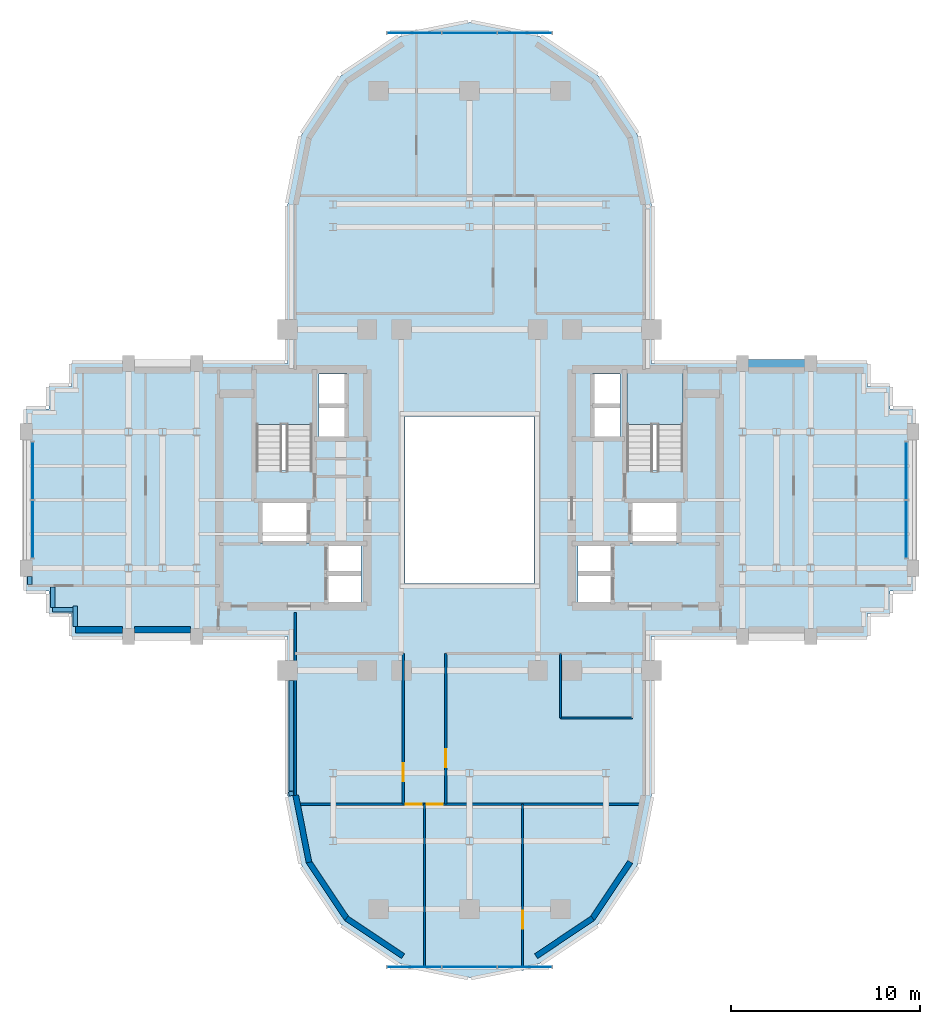
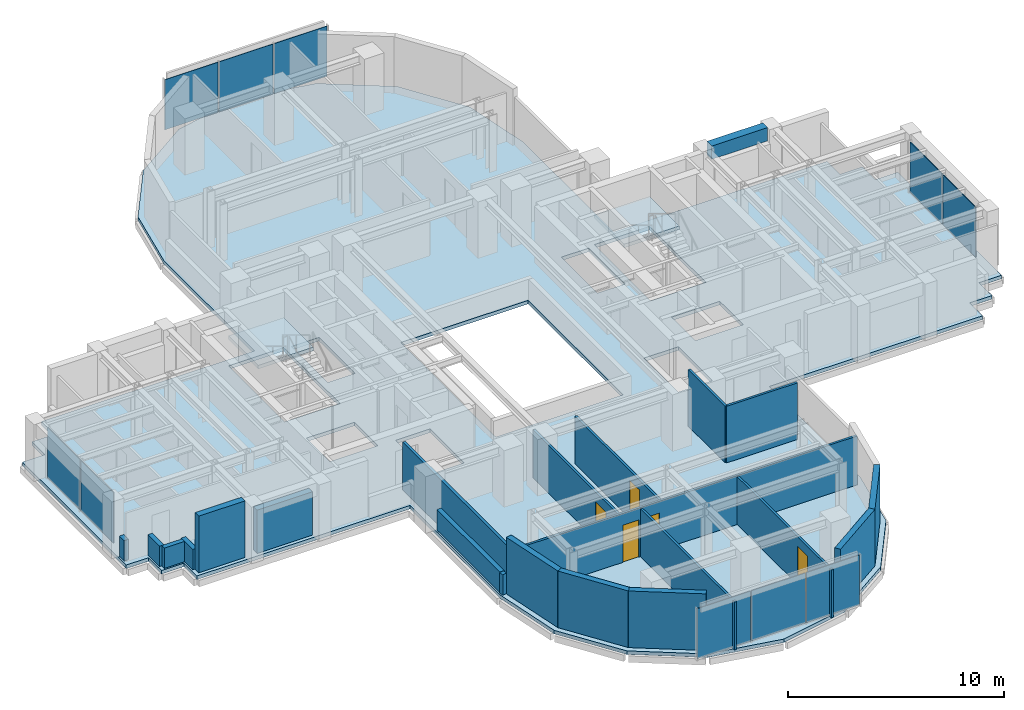
# One storey, part 7 of 14: 21 walls, 10 plates, 5 doors, 3 slabs, 1 beam, 5 openings, 6 elements without a shape of their own.
"""IFC4 building model written with IfcOpenShell, lengths in metres."""

from ifc_helpers import new_model, si_unit, direction, frame, frame_2d, origin, origin_2d, place, context, subcontext, project, spatial, polyline, rectangle, outline, extrude, source, transform, mapped, material, layer, layer_set, material_profile, profile_set, type_object, element, fill, aggregate, save


model = new_model("IFC4")

# Units and contexts
model_context = context("Model", 3, precision=1e-05, world=origin(), true_north=direction((0.0, 1.0)))
body_context = subcontext(model_context, "Body", "Model", "MODEL_VIEW")
ifc_project = project(units=[si_unit("LENGTHUNIT", "METRE"), si_unit("AREAUNIT", "SQUARE_METRE"), si_unit("VOLUMEUNIT", "CUBIC_METRE"), si_unit("PLANEANGLEUNIT", "RADIAN"), si_unit("MASSUNIT", "GRAM", prefix="KILO")], contexts=[model_context])

# Site, building, storey
site_placement = place(None, origin())
site = spatial("IfcSite", under=ifc_project, at=site_placement, CompositionType="ELEMENT")
building_placement = place(site_placement, origin())
building = spatial("IfcBuilding", under=site, at=building_placement, Name="Keilestroom Media Tower", CompositionType="ELEMENT")
storey_placement = place(building_placement, frame((0.0, 0.0, 117.60009765625)))
storey = spatial("IfcBuildingStorey", under=building, at=storey_placement, Name="L31", CompositionType="ELEMENT", Elevation=117.60009765625)

# Beam
ifc_material_1 = material(Name="Precast concrete C40/50", Category="concrete")
ifc_material_profile = material_profile(ifc_material_1, rectangle(XDim=0.449951171875, YDim=0.75, at=origin_2d()), Name="PC 450x750")
ifc_profile_set = profile_set([ifc_material_profile], Name="Precast concrete C40/50")
beam_type = type_object("IfcBeamType", Name="Perimeter-Spandrel-Beam-PC-450x750", PredefinedType="SPANDREL", material=ifc_profile_set)
shared_shape_1 = source(origin(), body_context, "Body", "SweptSolid", [
    extrude(rectangle(XDim=0.449951171875, YDim=0.75, at=origin_2d()), origin(), (0.0, 0.0, 1.0), 2.989990234375),
])
beam_placement = place(storey_placement, frame((14.705078125, 7.199951171875, 2.824951171875), z_axis=(1.0, 0.0, 0.0), x_axis=(0.0, 1.0, 0.0)))
element("IfcBeam", 1, at=beam_placement, inside=storey, type_object=beam_type, Name="L31 Beam SPB-1 BM-L31-EW-027", PredefinedType="SPANDREL", context=body_context, shape_type="MappedRepresentation", body=[
    mapped(shared_shape_1, transform((0.0, 0.0, 0.0), x_axis=(1.0, 0.0, 0.0), y_axis=(0.0, 1.0, 0.0), z_axis=(0.0, 0.0, 1.0), scale=1.0)),
])

# Slab
ifc_material_2 = material(Name="Concrete C50/60", Category="concrete")
ifc_layer_1 = layer(ifc_material_2, 0.199951171875)
ifc_layer_set_1 = layer_set([ifc_layer_1], Name="Concrete C50/60")
slab_type_1 = type_object("IfcSlabType", Name="Composite-Floor-Slab-200", PredefinedType="FLOOR", material=ifc_layer_set_1)
slab_1_placement = place(storey_placement, frame((0.0, 0.0, -0.2001953125)))
element("IfcSlab", 2, at=slab_1_placement, inside=storey, type_object=slab_type_1, Name="L31 Structural Composite Floor Slab", PredefinedType="FLOOR", context=body_context, shape_type="SweptSolid", body=[
    extrude(outline(polyline([(23.39990234375, -4.800048828125), (23.39990234375, 4.800048828125), (22.199951171875, 4.800048828125), (22.199951171875, 6.0), (21.0, 6.0), (21.0, 7.199951171875), (9.60009765625, 7.199951171875), (9.60009765625, 9.60009765625), (9.60009765625, 15.60009765625), (8.869140625, 19.273681640625), (6.7880859375, 22.38818359375), (3.673828125, 24.46923828125), (0.0, 25.199951171875), (-3.673828125, 24.46923828125), (-6.7880859375, 22.38818359375), (-8.869140625, 19.273681640625), (-9.60009765625, 15.60009765625), (-9.60009765625, 9.60009765625), (-9.60009765625, 7.199951171875), (-21.0, 7.199951171875), (-21.0, 6.0), (-22.199951171875, 6.0), (-22.199951171875, 4.800048828125), (-23.39990234375, 4.800048828125), (-23.39990234375, -4.800048828125), (-22.199951171875, -4.800048828125), (-22.199951171875, -6.0), (-21.0, -6.0), (-21.0, -7.199951171875), (-9.60009765625, -7.199951171875), (-9.60009765625, -9.60009765625), (-9.60009765625, -15.60009765625), (-8.869140625, -19.273681640625), (-6.7880859375, -22.38818359375), (-3.673828125, -24.46923828125), (0.0, -25.199951171875), (3.673828125, -24.46923828125), (6.7880859375, -22.38818359375), (8.869140625, -19.273681640625), (9.60009765625, -15.60009765625), (9.60009765625, -9.60009765625), (9.60009765625, -7.199951171875), (21.0, -7.199951171875), (21.0, -6.0), (22.199951171875, -6.0), (22.199951171875, -4.800048828125), (23.39990234375, -4.800048828125)]), holes=[polyline([(-11.260009765625, 1.544921875), (-11.260009765625, 6.760009765625), (-8.300048828125, 6.760009765625), (-8.300048828125, 1.544921875), (-11.260009765625, 1.544921875)]), polyline([(-11.050048828125, -2.280029296875), (-11.050048828125, -0.10009765625), (-8.47998046875, -0.10009765625), (-8.47998046875, -2.280029296875), (-11.050048828125, -2.280029296875)]), polyline([(-7.949951171875, 3.300048828125), (-7.949951171875, 6.64990234375), (-6.47998046875, 6.64990234375), (-6.47998046875, 3.300048828125), (-7.949951171875, 3.300048828125)]), polyline([(-7.56005859375, -2.320068359375), (-5.719970703125, -2.320068359375), (-5.719970703125, -5.47998046875), (-7.56005859375, -5.47998046875), (-7.56005859375, -2.320068359375)]), polyline([(3.39990234375, -4.39990234375), (-3.39990234375, -4.39990234375), (-3.39990234375, 4.39990234375), (3.39990234375, 4.39990234375), (3.39990234375, -4.39990234375)]), polyline([(7.56005859375, -2.320068359375), (7.56005859375, -5.47998046875), (5.719970703125, -5.47998046875), (5.719970703125, -2.320068359375), (7.56005859375, -2.320068359375)]), polyline([(6.47998046875, 3.300048828125), (6.47998046875, 6.64990234375), (7.949951171875, 6.64990234375), (7.949951171875, 3.300048828125), (6.47998046875, 3.300048828125)]), polyline([(8.300048828125, 1.544921875), (8.300048828125, 6.760009765625), (11.260009765625, 6.760009765625), (11.260009765625, 1.544921875), (8.300048828125, 1.544921875)]), polyline([(8.47998046875, -2.280029296875), (8.47998046875, -0.10009765625), (11.050048828125, -0.10009765625), (11.050048828125, -2.280029296875), (8.47998046875, -2.280029296875)])]), origin(), (0.0, 0.0, 1.0), 0.2001953125),
])

# Stair, slab
ifc_material_3 = material(Name="Concrete C45/55", Category="concrete")
stair_type = type_object("IfcStairType", Name="Enclosed-Dog-Leg-Stair-ST-CORE", PredefinedType="HALF_TURN_STAIR", material=ifc_material_3)
stair_1_placement = place(storey_placement, origin())
stair_1 = element("IfcStair", 3, at=stair_1_placement, inside=storey, type_object=stair_type, Name="L31 West Core Escape Stair ST-1", PredefinedType="HALF_TURN_STAIR")
ifc_layer_2 = layer(ifc_material_3, 0.199951171875)
ifc_layer_set_2 = layer_set([ifc_layer_2], Name="Concrete C45/55")
slab_type_2 = type_object("IfcSlabType", Name="Stair-Intermediate-And-Top-Landing-Slab-200", PredefinedType="LANDING", material=ifc_layer_set_2)
slab_2_placement = place(storey_placement, frame((0.0, 0.0, 1.5)))
slab_2 = element("IfcSlab", 4, at=slab_2_placement, type_object=slab_type_2, Name="ST-1 landing 1", PredefinedType="LANDING", context=body_context, shape_type="SweptSolid", body=[
    extrude(outline(polyline([(-8.300048828125, 3.99609375), (-8.300048828125, 6.760009765625), (-11.260009765625, 6.760009765625), (-11.260009765625, 3.99609375), (-8.300048828125, 3.99609375)])), origin(), (0.0, 0.0, 1.0), 0.199951171875),
])
aggregate(stair_1, [slab_2])

stair_2_placement = place(storey_placement, origin())
stair_2 = element("IfcStair", 5, at=stair_2_placement, inside=storey, type_object=stair_type, Name="L31 East Core Escape Stair ST-2", PredefinedType="HALF_TURN_STAIR")
slab_3_placement = place(storey_placement, frame((0.0, 0.0, 1.5)))
slab_3 = element("IfcSlab", 6, at=slab_3_placement, type_object=slab_type_2, Name="ST-2 landing 1", PredefinedType="LANDING", context=body_context, shape_type="SweptSolid", body=[
    extrude(outline(polyline([(11.260009765625, 3.99609375), (11.260009765625, 6.760009765625), (8.300048828125, 6.760009765625), (8.300048828125, 3.99609375), (11.260009765625, 3.99609375)])), origin(), (0.0, 0.0, 1.0), 0.199951171875),
])
aggregate(stair_2, [slab_3])

# Curtain wall, plates
ifc_material_4 = material(Name="Anodised Aluminium Alloy", Category="aluminium")
curtain_wall_type_1 = type_object("IfcCurtainWallType", Name="Unitised-Curtain-Wall-CW-6", PredefinedType="NOTDEFINED", material=ifc_material_4)
curtain_wall_1_placement = place(storey_placement, origin())
curtain_wall_1 = element("IfcCurtainWall", 7, at=curtain_wall_1_placement, inside=storey, type_object=curtain_wall_type_1, Name="L31 Curtain Wall CW-6 CW-L31-LN-1", PredefinedType="NOTDEFINED")
ifc_material_5 = material(Name="Curved-Facet Triple Glazed Unit", Category="glass")
ifc_layer_3 = layer(ifc_material_5, 0.033935546875)
ifc_layer_set_3 = layer_set([ifc_layer_3], Name="Curved-Facet Triple Glazed Unit")
plate_type_1 = type_object("IfcPlateType", Name="Insulated-Curtain-Wall-Glazing-Panel-CW-6", PredefinedType="CURTAIN_PANEL", material=ifc_layer_set_3)
shared_shape_2 = source(origin(), body_context, "Body", "SweptSolid", [
    extrude(rectangle(XDim=2.84375, YDim=0.033935546875, at=origin_2d()), origin(), (0.0, 0.0, 1.0), 2.833984375),
])
plate_1_placement = place(storey_placement, frame((-2.9169921875, 24.64990234375, 0.072998046875), z_axis=(0.0, 0.0, 1.0), x_axis=(1.0, 0.0, 0.0)))
plate_1 = element("IfcPlate", 8, at=plate_1_placement, type_object=plate_type_1, Name="CW-6 Unitised Glazing 00", PredefinedType="CURTAIN_PANEL", context=body_context, shape_type="MappedRepresentation", body=[
    mapped(shared_shape_2, transform((0.0, 0.0, 0.0), x_axis=(1.0, 0.0, 0.0), y_axis=(0.0, 1.0, 0.0), z_axis=(0.0, 0.0, 1.0), scale=1.0)),
])
plate_2_placement = place(storey_placement, frame((2.9169921875, 24.64990234375, 0.072998046875), z_axis=(0.0, 0.0, 1.0), x_axis=(1.0, 0.0, 0.0)))
plate_2 = element("IfcPlate", 9, at=plate_2_placement, type_object=plate_type_1, Name="CW-6 Unitised Glazing 02", PredefinedType="CURTAIN_PANEL", context=body_context, shape_type="MappedRepresentation", body=[
    mapped(shared_shape_2, transform((0.0, 0.0, 0.0), x_axis=(1.0, 0.0, 0.0), y_axis=(0.0, 1.0, 0.0), z_axis=(0.0, 0.0, 1.0), scale=1.0)),
])

curtain_wall_2_placement = place(storey_placement, origin())
curtain_wall_2 = element("IfcCurtainWall", 10, at=curtain_wall_2_placement, inside=storey, type_object=curtain_wall_type_1, Name="L31 Curtain Wall CW-6 CW-L31-LS-1", PredefinedType="NOTDEFINED")
plate_3_placement = place(storey_placement, frame((-2.9169921875, -24.64990234375, 0.072998046875), z_axis=(0.0, 0.0, 1.0), x_axis=(1.0, 0.0, 0.0)))
plate_3 = element("IfcPlate", 11, at=plate_3_placement, type_object=plate_type_1, Name="CW-6 Unitised Glazing 00", PredefinedType="CURTAIN_PANEL", context=body_context, shape_type="MappedRepresentation", body=[
    mapped(shared_shape_2, transform((0.0, 0.0, 0.0), x_axis=(1.0, 0.0, 0.0), y_axis=(0.0, 1.0, 0.0), z_axis=(0.0, 0.0, 1.0), scale=1.0)),
])
plate_4_placement = place(storey_placement, frame((2.9169921875, -24.64990234375, 0.072998046875), z_axis=(0.0, 0.0, 1.0), x_axis=(1.0, 0.0, 0.0)))
plate_4 = element("IfcPlate", 12, at=plate_4_placement, type_object=plate_type_1, Name="CW-6 Unitised Glazing 02", PredefinedType="CURTAIN_PANEL", context=body_context, shape_type="MappedRepresentation", body=[
    mapped(shared_shape_2, transform((0.0, 0.0, 0.0), x_axis=(1.0, 0.0, 0.0), y_axis=(0.0, 1.0, 0.0), z_axis=(0.0, 0.0, 1.0), scale=1.0)),
])

# Plate
shared_shape_3 = source(origin(), body_context, "Body", "SweptSolid", [
    extrude(rectangle(XDim=2.876220703125, YDim=0.033935546875, at=origin_2d()), origin(), (0.0, 0.0, 1.0), 2.833984375),
])
plate_5_placement = place(storey_placement, frame((0.0, 24.64990234375, 0.072998046875), z_axis=(0.0, 0.0, 1.0), x_axis=(1.0, 0.0, 0.0)))
plate_5 = element("IfcPlate", 13, at=plate_5_placement, type_object=plate_type_1, Name="CW-6 Unitised Glazing 01", PredefinedType="CURTAIN_PANEL", context=body_context, shape_type="MappedRepresentation", body=[
    mapped(shared_shape_3, transform((0.0, 0.0, 0.0), x_axis=(1.0, 0.0, 0.0), y_axis=(0.0, 1.0, 0.0), z_axis=(0.0, 0.0, 1.0), scale=1.0)),
])

aggregate(curtain_wall_1, [plate_1, plate_5, plate_2])

plate_6_placement = place(storey_placement, frame((0.0, -24.64990234375, 0.072998046875), z_axis=(0.0, 0.0, 1.0), x_axis=(1.0, 0.0, 0.0)))
plate_6 = element("IfcPlate", 14, at=plate_6_placement, type_object=plate_type_1, Name="CW-6 Unitised Glazing 01", PredefinedType="CURTAIN_PANEL", context=body_context, shape_type="MappedRepresentation", body=[
    mapped(shared_shape_3, transform((0.0, 0.0, 0.0), x_axis=(1.0, 0.0, 0.0), y_axis=(0.0, 1.0, 0.0), z_axis=(0.0, 0.0, 1.0), scale=1.0)),
])

aggregate(curtain_wall_2, [plate_3, plate_6, plate_4])

# Curtain wall, plates
curtain_wall_type_2 = type_object("IfcCurtainWallType", Name="Unitised-Curtain-Wall-CW-2", PredefinedType="NOTDEFINED", material=ifc_material_4)
curtain_wall_3_placement = place(storey_placement, origin())
curtain_wall_3 = element("IfcCurtainWall", 15, at=curtain_wall_3_placement, inside=storey, type_object=curtain_wall_type_2, Name="L31 Curtain Wall CW-2 CW-L31-W-1", PredefinedType="NOTDEFINED")
ifc_material_6 = material(Name="Double Glazed Low-E Unit", Category="glass")
ifc_layer_4 = layer(ifc_material_6, 0.0419921875)
ifc_layer_set_4 = layer_set([ifc_layer_4], Name="Double Glazed Low-E Unit")
plate_type_2 = type_object("IfcPlateType", Name="Insulated-Curtain-Wall-Glazing-Panel-CW-2", PredefinedType="CURTAIN_PANEL", material=ifc_layer_set_4)
shared_shape_4 = source(origin(), body_context, "Body", "SweptSolid", [
    extrude(rectangle(XDim=3.01806640625, YDim=0.0419921875, at=origin_2d()), origin(), (0.0, 0.0, 1.0), 2.833984375),
])
plate_7_placement = place(storey_placement, frame((-23.050048828125, -1.5400390625, 0.072998046875), z_axis=(0.0, 0.0, 1.0), x_axis=(0.0, 1.0, 0.0)))
plate_7 = element("IfcPlate", 16, at=plate_7_placement, type_object=plate_type_2, Name="CW-2 Unitised Glazing 00", PredefinedType="CURTAIN_PANEL", context=body_context, shape_type="MappedRepresentation", body=[
    mapped(shared_shape_4, transform((0.0, 0.0, 0.0), x_axis=(1.0, 0.0, 0.0), y_axis=(0.0, 1.0, 0.0), z_axis=(0.0, 0.0, 1.0), scale=1.0)),
])
plate_8_placement = place(storey_placement, frame((-23.050048828125, 1.5400390625, 0.072998046875), z_axis=(0.0, 0.0, 1.0), x_axis=(0.0, 1.0, 0.0)))
plate_8 = element("IfcPlate", 17, at=plate_8_placement, type_object=plate_type_2, Name="CW-2 Unitised Glazing 01", PredefinedType="CURTAIN_PANEL", context=body_context, shape_type="MappedRepresentation", body=[
    mapped(shared_shape_4, transform((0.0, 0.0, 0.0), x_axis=(1.0, 0.0, 0.0), y_axis=(0.0, 1.0, 0.0), z_axis=(0.0, 0.0, 1.0), scale=1.0)),
])
aggregate(curtain_wall_3, [plate_7, plate_8])

curtain_wall_4_placement = place(storey_placement, origin())
curtain_wall_4 = element("IfcCurtainWall", 18, at=curtain_wall_4_placement, inside=storey, type_object=curtain_wall_type_2, Name="L31 Curtain Wall CW-2 CW-L31-E-1", PredefinedType="NOTDEFINED")
plate_9_placement = place(storey_placement, frame((23.050048828125, -1.5400390625, 0.072998046875), z_axis=(0.0, 0.0, 1.0), x_axis=(0.0, 1.0, 0.0)))
plate_9 = element("IfcPlate", 19, at=plate_9_placement, type_object=plate_type_2, Name="CW-2 Unitised Glazing 00", PredefinedType="CURTAIN_PANEL", context=body_context, shape_type="MappedRepresentation", body=[
    mapped(shared_shape_4, transform((0.0, 0.0, 0.0), x_axis=(1.0, 0.0, 0.0), y_axis=(0.0, 1.0, 0.0), z_axis=(0.0, 0.0, 1.0), scale=1.0)),
])
plate_10_placement = place(storey_placement, frame((23.050048828125, 1.5400390625, 0.072998046875), z_axis=(0.0, 0.0, 1.0), x_axis=(0.0, 1.0, 0.0)))
plate_10 = element("IfcPlate", 20, at=plate_10_placement, type_object=plate_type_2, Name="CW-2 Unitised Glazing 01", PredefinedType="CURTAIN_PANEL", context=body_context, shape_type="MappedRepresentation", body=[
    mapped(shared_shape_4, transform((0.0, 0.0, 0.0), x_axis=(1.0, 0.0, 0.0), y_axis=(0.0, 1.0, 0.0), z_axis=(0.0, 0.0, 1.0), scale=1.0)),
])
aggregate(curtain_wall_4, [plate_9, plate_10])

# Walls
ifc_layer_5 = layer(ifc_material_1, 0.300048828125)
ifc_layer_set_5 = layer_set([ifc_layer_5], Name="Precast concrete C40/50")
wall_type_1 = type_object("IfcWallType", Name="Exterior-Masonry-Spandrel-Wall-300", PredefinedType="SOLIDWALL", material=ifc_layer_set_5)
for number, where, z_axis, x_axis, name in (
    (21, (-9.1748046875, -15.585205078125, 0.0), (0.0, 0.0, 1.0), (0.195114232679, -0.980780523974, 0.0), "L31 Lobe Facet Precast Frame Wall 07"),
    (22, (-8.48193359375, -19.097412109375, 0.0), (0.0, 0.0, 1.0), (0.555574187116, -0.831466970246, 0.0), "L31 Lobe Facet Precast Frame Wall 08"),
):
    element("IfcWall", number, at=place(storey_placement, frame(where, z_axis=z_axis, x_axis=x_axis)), inside=storey, type_object=wall_type_1, Name=name, PredefinedType="SOLIDWALL", context=body_context, shape_type="SweptSolid", body=[
        extrude(rectangle(XDim=3.608642578125, YDim=0.300048828125, at=frame_2d((1.80419921875, 0.0))), origin(), (0.0, 0.0, 1.0), 3.199951171875),
    ])
for number, where, z_axis, x_axis, name in (
    (23, (-6.497802734375, -22.0771484375, 0.0), (0.0, 0.0, 1.0), (0.8314749531, -0.555562239868, 0.0), "L31 Lobe Facet Precast Frame Wall 09"),
    (24, (3.510009765625, -24.073486328125, 0.0), (0.0, 0.0, 1.0), (0.8314749531, 0.555562239868, 0.0), "L31 Lobe Facet Precast Frame Wall 10"),
):
    element("IfcWall", number, at=place(storey_placement, frame(where, z_axis=z_axis, x_axis=x_axis)), inside=storey, type_object=wall_type_1, Name=name, PredefinedType="SOLIDWALL", context=body_context, shape_type="SweptSolid", body=[
        extrude(rectangle(XDim=3.59326171875, YDim=0.300048828125, at=frame_2d((1.796630859375, 0.0))), origin(), (0.0, 0.0, 1.0), 3.199951171875),
    ])
wall_1_placement = place(storey_placement, frame((6.47705078125, -22.097900390625, 0.0), z_axis=(0.0, 0.0, 1.0), x_axis=(0.555574187116, 0.831466970246, 0.0)))
element("IfcWall", 25, at=wall_1_placement, inside=storey, type_object=wall_type_1, Name="L31 Lobe Facet Precast Frame Wall 11", PredefinedType="SOLIDWALL", context=body_context, shape_type="SweptSolid", body=[
    extrude(rectangle(XDim=3.608642578125, YDim=0.300048828125, at=frame_2d((1.80419921875, 0.0))), origin(), (0.0, 0.0, 1.0), 3.199951171875),
])
ifc_layer_6 = layer(ifc_material_1, 0.340087890625)
ifc_layer_set_6 = layer_set([ifc_layer_6], Name="Precast concrete C40/50")
wall_type_2 = type_object("IfcWallType", Name="Exterior-Masonry-Spandrel-Wall-340", PredefinedType="SOLIDWALL", material=ifc_layer_set_6)
wall_2_placement = place(storey_placement, frame((-20.800048828125, -6.85009765625, 0.0), z_axis=(0.0, 0.0, 1.0), x_axis=(1.0, 0.0, 0.0)))
element("IfcWall", 26, at=wall_2_placement, inside=storey, type_object=wall_type_2, Name="L31 Flank Masonry Wall EWL-L31-SW-1", PredefinedType="SOLIDWALL", context=body_context, shape_type="SweptSolid", body=[
    extrude(rectangle(XDim=2.483154296875, YDim=0.340087890625, at=frame_2d((1.24169921875, 0.0))), origin(), (0.0, 0.0, 1.0), 3.199951171875),
])
wall_3_placement = place(storey_placement, frame((-17.68310546875, -6.85009765625, 0.0), z_axis=(0.0, 0.0, 1.0), x_axis=(1.0, 0.0, 0.0)))
element("IfcWall", 27, at=wall_3_placement, inside=storey, type_object=wall_type_2, Name="L31 Flank Masonry Wall EWL-L31-SW-2", PredefinedType="SOLIDWALL", context=body_context, shape_type="SweptSolid", body=[
    extrude(rectangle(XDim=2.966064453125, YDim=0.340087890625, at=frame_2d((1.48291015625, 0.0))), origin(), (0.0, 0.0, 1.0), 2.449951171875),
])

# Wall, opening, door
ifc_material_7 = material(Name="Gypsum Plasterboard & Steel Stud", Category="steel")
ifc_layer_7 = layer(ifc_material_7, 0.1201171875)
ifc_layer_set_7 = layer_set([ifc_layer_7], Name="Gypsum Plasterboard & Steel Stud")
wall_type_3 = type_object("IfcWallType", Name="Interior-Partition-Wall-120", PredefinedType="PARTITIONING", material=ifc_layer_set_7)
wall_4_placement = place(storey_placement, frame((-3.5, -16.050048828125, 0.0), z_axis=(0.0, 0.0, 1.0), x_axis=(0.0, 1.0, 0.0)))
wall_4 = element("IfcWall", 28, at=wall_4_placement, inside=storey, type_object=wall_type_3, Name="L31 Interior Wall WP-L31-SL-SPW", PredefinedType="PARTITIONING", context=body_context, shape_type="SweptSolid", body=[
    extrude(rectangle(XDim=7.949951171875, YDim=0.1201171875, at=frame_2d((3.97509765625, 0.0))), origin(), (0.0, 0.0, 1.0), 2.699951171875),
])
opening_1_placement = place(wall_4_placement, frame((1.199951171875, 0.0, 0.0)))
opening_1 = element("IfcOpeningElement", 29, at=opening_1_placement, cuts=wall_4, Name="Opening DI-03", PredefinedType="OPENING", context=body_context, shape_type="SweptSolid", body=[
    extrude(rectangle(XDim=0.949951171875, YDim=2.14990234375, at=frame_2d((0.47509765625, 1.074951171875))), frame((0.0, 0.070068359375, 0.0), z_axis=(0.0, -1.0, 0.0), x_axis=(1.0, 0.0, 0.0)), (0.0, 0.0, 1.0), 0.14013671875),
])
ifc_material_8 = material(Name="Lacquered European Oak Leaf", Category="wood")
door_type_1 = type_object("IfcDoorType", Name="Interior-Room-And-Suite-Door-DI-03", OperationType="NOTDEFINED", PredefinedType="DOOR", material=ifc_material_8)
shared_shape_5 = source(origin(), body_context, "Body", "SweptSolid", [
    extrude(rectangle(XDim=0.949951171875, YDim=2.14990234375, at=frame_2d((0.47509765625, 1.074951171875))), frame((0.0, 0.02490234375, 0.0), z_axis=(0.0, -1.0, 0.0), x_axis=(1.0, 0.0, 0.0)), (0.0, 0.0, 1.0), 0.050048828125),
])
door_1_placement = place(opening_1_placement, origin())
door_1 = element("IfcDoor", 30, at=door_1_placement, inside=storey, type_object=door_type_1, Name="L31 Interior Door DI-L31-DSL-W1", OperationType="SINGLE_SWING_LEFT", OverallHeight=2.14990234375, OverallWidth=0.949951171875, PredefinedType="DOOR", context=body_context, shape_type="MappedRepresentation", body=[
    mapped(shared_shape_5, transform((0.0, 0.0, 0.0), x_axis=(1.0, 0.0, 0.0), y_axis=(0.0, 1.0, 0.0), z_axis=(0.0, 0.0, 1.0), scale=1.0)),
])
fill(opening_1, door_1)

wall_5_placement = place(storey_placement, frame((-1.260009765625, -16.050048828125, 0.0), z_axis=(0.0, 0.0, 1.0), x_axis=(0.0, 1.0, 0.0)))
wall_5 = element("IfcWall", 31, at=wall_5_placement, inside=storey, type_object=wall_type_3, Name="L31 Interior Wall WP-L31-SL-SPE", PredefinedType="PARTITIONING", context=body_context, shape_type="SweptSolid", body=[
    extrude(rectangle(XDim=7.949951171875, YDim=0.1201171875, at=frame_2d((3.97509765625, 0.0))), origin(), (0.0, 0.0, 1.0), 2.699951171875),
])
opening_2_placement = place(wall_5_placement, frame((1.949951171875, 0.0, 0.0)))
opening_2 = element("IfcOpeningElement", 32, at=opening_2_placement, cuts=wall_5, Name="Opening DI-03", PredefinedType="OPENING", context=body_context, shape_type="SweptSolid", body=[
    extrude(rectangle(XDim=0.949951171875, YDim=2.14990234375, at=frame_2d((0.47509765625, 1.074951171875))), frame((0.0, 0.070068359375, 0.0), z_axis=(0.0, -1.0, 0.0), x_axis=(1.0, 0.0, 0.0)), (0.0, 0.0, 1.0), 0.14013671875),
])
door_2_placement = place(opening_2_placement, origin())
door_2 = element("IfcDoor", 33, at=door_2_placement, inside=storey, type_object=door_type_1, Name="L31 Interior Door DI-L31-DSL-E1", OperationType="SINGLE_SWING_RIGHT", OverallHeight=2.14990234375, OverallWidth=0.949951171875, PredefinedType="DOOR", context=body_context, shape_type="MappedRepresentation", body=[
    mapped(shared_shape_5, transform((0.0, 0.0, 0.0), x_axis=(1.0, 0.0, 0.0), y_axis=(0.0, 1.0, 0.0), z_axis=(0.0, 0.0, 1.0), scale=1.0)),
])
fill(opening_2, door_2)

# Wall, openings, doors
wall_6_placement = place(storey_placement, frame((-9.159912109375, -16.050048828125, 0.0), z_axis=(0.0, 0.0, 1.0), x_axis=(1.0, 0.0, 0.0)))
wall_6 = element("IfcWall", 34, at=wall_6_placement, inside=storey, type_object=wall_type_3, Name="L31 Interior Wall WP-L31-SL-STIPW", PredefinedType="PARTITIONING", context=body_context, shape_type="SweptSolid", body=[
    extrude(rectangle(XDim=18.31982421875, YDim=0.1201171875, at=frame_2d((9.159912109375, 0.0))), origin(), (0.0, 0.0, 1.0), 2.760009765625),
])
opening_3_placement = place(wall_6_placement, frame((5.800048828125, 0.0, 0.0)))
opening_3 = element("IfcOpeningElement", 35, at=opening_3_placement, cuts=wall_6, Name="Opening DI-05", PredefinedType="OPENING", context=body_context, shape_type="SweptSolid", body=[
    extrude(rectangle(XDim=0.85009765625, YDim=2.10009765625, at=frame_2d((0.425048828125, 1.050048828125))), frame((0.0, 0.070068359375, 0.0), z_axis=(0.0, -1.0, 0.0), x_axis=(1.0, 0.0, 0.0)), (0.0, 0.0, 1.0), 0.14013671875),
])
opening_4_placement = place(wall_6_placement, frame((6.89990234375, 0.0, 0.0)))
opening_4 = element("IfcOpeningElement", 36, at=opening_4_placement, cuts=wall_6, Name="Opening DI-05", PredefinedType="OPENING", context=body_context, shape_type="SweptSolid", body=[
    extrude(rectangle(XDim=0.85009765625, YDim=2.10009765625, at=frame_2d((0.425048828125, 1.050048828125))), frame((0.0, 0.070068359375, 0.0), z_axis=(0.0, -1.0, 0.0), x_axis=(1.0, 0.0, 0.0)), (0.0, 0.0, 1.0), 0.14013671875),
])
ifc_material_9 = material(Name="Moisture-Resistant Oak Leaf", Category="wood")
door_type_2 = type_object("IfcDoorType", Name="Interior-En-Suite-And-Cupboard-Door-DI-05", OperationType="NOTDEFINED", PredefinedType="DOOR", material=ifc_material_9)
shared_shape_6 = source(origin(), body_context, "Body", "SweptSolid", [
    extrude(rectangle(XDim=0.85009765625, YDim=2.10009765625, at=frame_2d((0.425048828125, 1.050048828125))), frame((0.0, 0.02490234375, 0.0), z_axis=(0.0, -1.0, 0.0), x_axis=(1.0, 0.0, 0.0)), (0.0, 0.0, 1.0), 0.050048828125),
])
door_3_placement = place(opening_3_placement, origin())
door_3 = element("IfcDoor", 37, at=door_3_placement, inside=storey, type_object=door_type_2, Name="L31 Interior Door DI-L31-DSL-TIP1", OperationType="SINGLE_SWING_LEFT", OverallHeight=2.10009765625, OverallWidth=0.85009765625, PredefinedType="DOOR", context=body_context, shape_type="MappedRepresentation", body=[
    mapped(shared_shape_6, transform((0.0, 0.0, 0.0), x_axis=(1.0, 0.0, 0.0), y_axis=(0.0, 1.0, 0.0), z_axis=(0.0, 0.0, 1.0), scale=1.0)),
])
fill(opening_3, door_3)
door_4_placement = place(opening_4_placement, origin())
door_4 = element("IfcDoor", 38, at=door_4_placement, inside=storey, type_object=door_type_2, Name="L31 Interior Door DI-L31-DSL-TIP2", OperationType="SINGLE_SWING_RIGHT", OverallHeight=2.10009765625, OverallWidth=0.85009765625, PredefinedType="DOOR", context=body_context, shape_type="MappedRepresentation", body=[
    mapped(shared_shape_6, transform((0.0, 0.0, 0.0), x_axis=(1.0, 0.0, 0.0), y_axis=(0.0, 1.0, 0.0), z_axis=(0.0, 0.0, 1.0), scale=1.0)),
])
fill(opening_4, door_4)

# Walls
wall_7_placement = place(storey_placement, frame((4.800048828125, -11.5, 0.0), z_axis=(0.0, 0.0, 1.0), x_axis=(1.0, 0.0, 0.0)))
element("IfcWall", 39, at=wall_7_placement, inside=storey, type_object=wall_type_3, Name="L31 Interior Wall WP-L31-SL-WC-S", PredefinedType="PARTITIONING", context=body_context, shape_type="SweptSolid", body=[
    extrude(rectangle(XDim=3.800048828125, YDim=0.1201171875, at=frame_2d((1.89990234375, 0.0))), origin(), (0.0, 0.0, 1.0), 3.199951171875),
])
wall_8_placement = place(storey_placement, frame((4.800048828125, -11.5, 0.0), z_axis=(0.0, 0.0, 1.0), x_axis=(0.0, 1.0, 0.0)))
element("IfcWall", 40, at=wall_8_placement, inside=storey, type_object=wall_type_3, Name="L31 Interior Wall WP-L31-SL-WC-W", PredefinedType="PARTITIONING", context=body_context, shape_type="SweptSolid", body=[
    extrude(rectangle(XDim=3.39990234375, YDim=0.1201171875, at=frame_2d((1.699951171875, 0.0))), origin(), (0.0, 0.0, 1.0), 3.199951171875),
])
wall_9_placement = place(storey_placement, frame((-2.3798828125, -24.820068359375, 0.0), z_axis=(0.0, 0.0, 1.0), x_axis=(0.0, 1.0, 0.0)))
element("IfcWall", 41, at=wall_9_placement, inside=storey, type_object=wall_type_3, Name="L31 Interior Wall WP-L31-SL-TV1", PredefinedType="PARTITIONING", context=body_context, shape_type="SweptSolid", body=[
    extrude(rectangle(XDim=8.77001953125, YDim=0.1201171875, at=frame_2d((4.385009765625, 0.0))), origin(), (0.0, 0.0, 1.0), 2.699951171875),
])

# Wall, opening, door
wall_10_placement = place(storey_placement, frame((2.800048828125, -24.820068359375, 0.0), z_axis=(0.0, 0.0, 1.0), x_axis=(0.0, 1.0, 0.0)))
wall_10 = element("IfcWall", 42, at=wall_10_placement, inside=storey, type_object=wall_type_3, Name="L31 Interior Wall WP-L31-SL-TV2", PredefinedType="PARTITIONING", context=body_context, shape_type="SweptSolid", body=[
    extrude(rectangle(XDim=8.77001953125, YDim=0.1201171875, at=frame_2d((4.385009765625, 0.0))), origin(), (0.0, 0.0, 1.0), 2.699951171875),
])
opening_5_placement = place(wall_10_placement, frame((2.199951171875, 0.0, 0.0)))
opening_5 = element("IfcOpeningElement", 43, at=opening_5_placement, cuts=wall_10, Name="Opening DI-03", PredefinedType="OPENING", context=body_context, shape_type="SweptSolid", body=[
    extrude(rectangle(XDim=0.949951171875, YDim=2.14990234375, at=frame_2d((0.47509765625, 1.074951171875))), frame((0.0, 0.070068359375, 0.0), z_axis=(0.0, -1.0, 0.0), x_axis=(1.0, 0.0, 0.0)), (0.0, 0.0, 1.0), 0.14013671875),
])
door_5_placement = place(opening_5_placement, origin())
door_5 = element("IfcDoor", 44, at=door_5_placement, inside=storey, type_object=door_type_1, Name="L31 Interior Door DI-L31-DSL-TIP3", OperationType="SINGLE_SWING_LEFT", OverallHeight=2.14990234375, OverallWidth=0.949951171875, PredefinedType="DOOR", context=body_context, shape_type="MappedRepresentation", body=[
    mapped(shared_shape_5, transform((0.0, 0.0, 0.0), x_axis=(1.0, 0.0, 0.0), y_axis=(0.0, 1.0, 0.0), z_axis=(0.0, 0.0, 1.0), scale=1.0)),
])
fill(opening_5, door_5)

# Walls
ifc_layer_8 = layer(ifc_material_7, 0.14990234375)
ifc_layer_set_8 = layer_set([ifc_layer_8], Name="Gypsum Plasterboard & Steel Stud")
wall_type_4 = type_object("IfcWallType", Name="Interior-Partition-Wall-150", PredefinedType="PARTITIONING", material=ifc_layer_set_8)
wall_11_placement = place(storey_placement, frame((-9.199951171875, -15.679931640625, 0.0), z_axis=(0.0, 0.0, 1.0), x_axis=(0.0, 1.0, 0.0)))
element("IfcWall", 45, at=wall_11_placement, inside=storey, type_object=wall_type_4, Name="L31 Interior Wall WP-L31-SL-CHKW", PredefinedType="PARTITIONING", context=body_context, shape_type="SweptSolid", body=[
    extrude(rectangle(XDim=9.739990234375, YDim=0.14990234375, at=frame_2d((4.8701171875, 0.0))), origin(), (0.0, 0.0, 1.0), 2.699951171875),
])
ifc_layer_9 = layer(ifc_material_1, 0.239990234375)
ifc_layer_set_9 = layer_set([ifc_layer_9], Name="Precast concrete C40/50")
wall_type_5 = type_object("IfcWallType", Name="Roof-And-Terrace-Parapet-Wall-240", PredefinedType="PARAPET", material=ifc_layer_set_9)
wall_12_placement = place(storey_placement, frame((-9.395263671875, -15.604248046875, 0.0), z_axis=(0.0, 0.0, 1.0), x_axis=(-0.194652052864, 0.980872355771, 0.0)))
element("IfcWall", 46, at=wall_12_placement, inside=storey, type_object=wall_type_5, Name="L31 Perimeter Edge Parapet Wall 07", PredefinedType="PARAPET", context=body_context, shape_type="SweptSolid", body=[
    extrude(rectangle(XDim=0.224609375, YDim=0.239990234375, at=frame_2d((0.1123046875, 0.0))), origin(), (0.0, 0.0, 1.0), 1.14990234375),
])
wall_13_placement = place(storey_placement, frame((-9.39990234375, -15.357666015625, 0.0), z_axis=(0.0, 0.0, 1.0), x_axis=(0.0, 1.0, 0.0)))
element("IfcWall", 47, at=wall_13_placement, inside=storey, type_object=wall_type_5, Name="L31 Perimeter Edge Parapet Wall 08", PredefinedType="PARAPET", context=body_context, shape_type="SweptSolid", body=[
    extrude(rectangle(XDim=5.82958984375, YDim=0.239990234375, at=frame_2d((2.914794921875, 0.0))), origin(), (0.0, 0.0, 1.0), 1.14990234375),
])
for number, where, z_axis, x_axis, name in (
    (48, (-20.800048828125, -6.677001953125, 0.0), (0.0, 0.0, 1.0), (0.0, 1.0, 0.0), "L31 Perimeter Edge Parapet Wall 11"),
    (49, (-20.923095703125, -5.800048828125, 0.0), (0.0, 0.0, 1.0), (-1.0, 0.0, 0.0), "L31 Perimeter Edge Parapet Wall 12"),
):
    element("IfcWall", number, at=place(storey_placement, frame(where, z_axis=z_axis, x_axis=x_axis)), inside=storey, type_object=wall_type_5, Name=name, PredefinedType="PARAPET", context=body_context, shape_type="SweptSolid", body=[
        extrude(rectangle(XDim=1.076904296875, YDim=0.239990234375, at=frame_2d((0.53857421875, 0.0))), origin(), (0.0, 0.0, 1.0), 1.14990234375),
    ])
wall_14_placement = place(storey_placement, frame((-22.0, -5.677001953125, 0.0), z_axis=(0.0, 0.0, 1.0), x_axis=(0.0, 1.0, 0.0)))
element("IfcWall", 50, at=wall_14_placement, inside=storey, type_object=wall_type_5, Name="L31 Perimeter Edge Parapet Wall 13", PredefinedType="PARAPET", context=body_context, shape_type="SweptSolid", body=[
    extrude(rectangle(XDim=1.083984375, YDim=0.239990234375, at=frame_2d((0.5419921875, 0.0))), origin(), (0.0, 0.0, 1.0), 1.14990234375),
])
wall_15_placement = place(storey_placement, frame((-23.199951171875, -4.467041015625, 0.0), z_axis=(0.0, 0.0, 1.0), x_axis=(0.0, 1.0, 0.0)))
element("IfcWall", 51, at=wall_15_placement, inside=storey, type_object=wall_type_5, Name="L31 Perimeter Edge Parapet Wall 14", PredefinedType="PARAPET", context=body_context, shape_type="SweptSolid", body=[
    extrude(rectangle(XDim=0.43896484375, YDim=0.239990234375, at=frame_2d((0.219482421875, 0.0))), origin(), (0.0, 0.0, 1.0), 1.14990234375),
])

save(model, "model.ifc")
